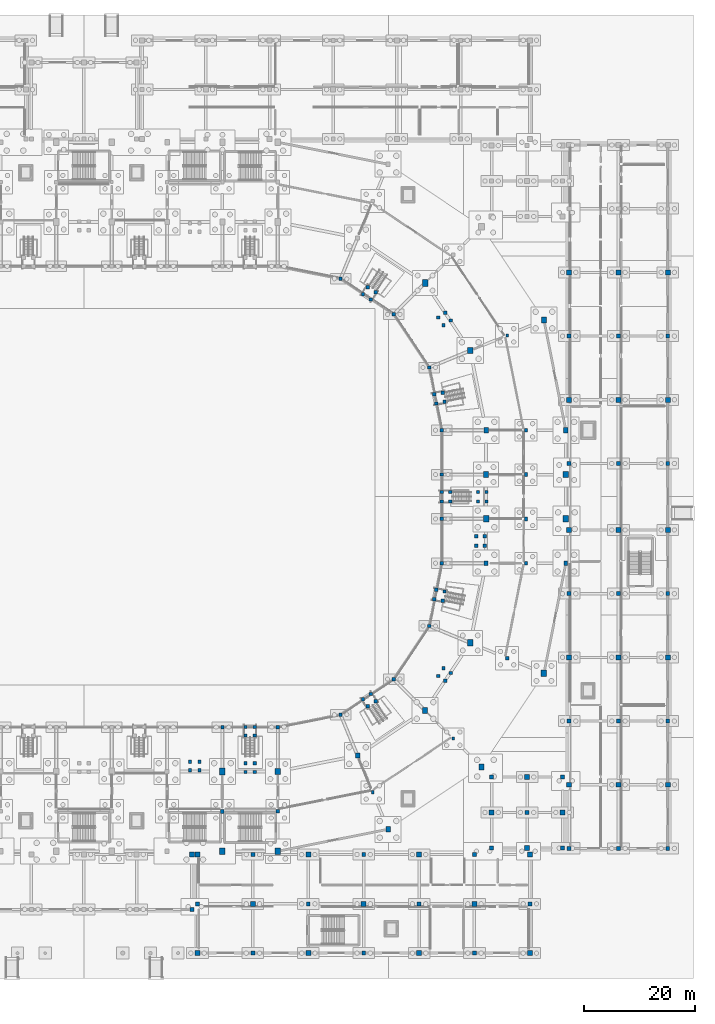
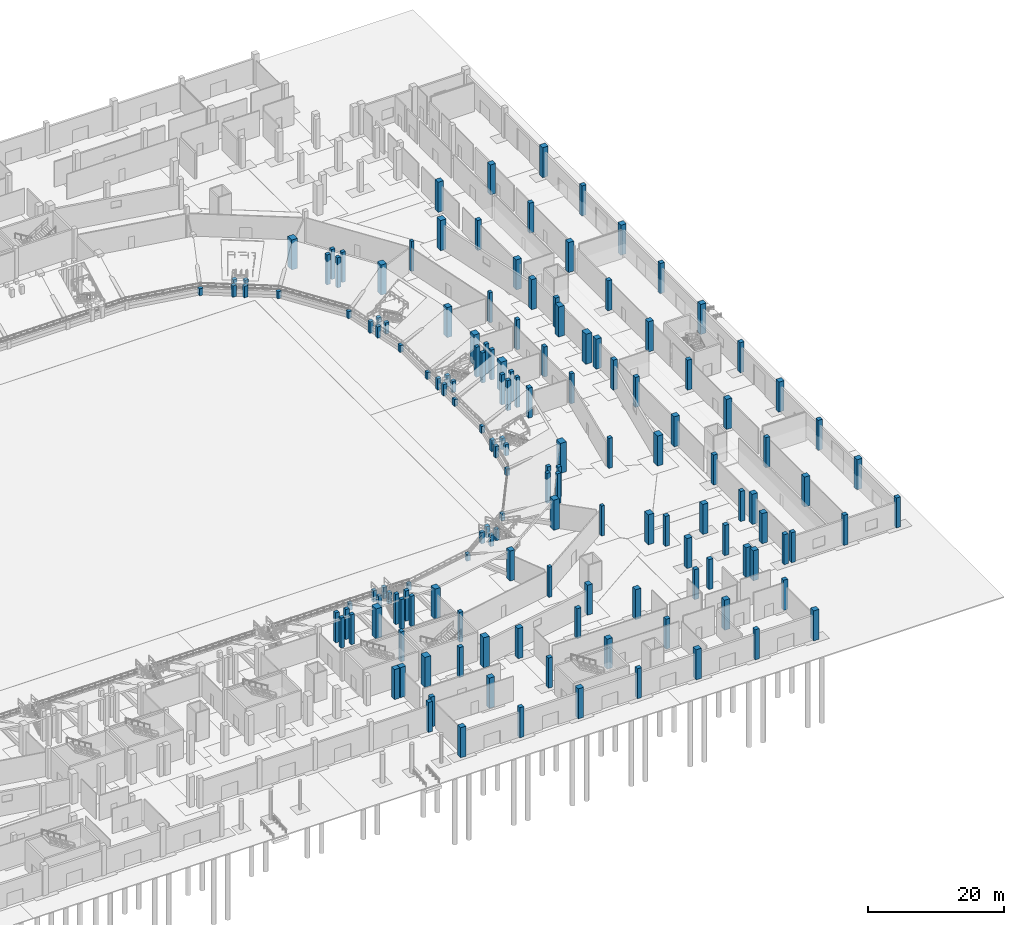
# One storey, part 16 of 68: 153 columns.
"""IFC4 building model written with IfcOpenShell, lengths in metres."""

from ifc_helpers import new_model, si_unit, direction, frame, origin, origin_2d, place, context, subcontext, project, spatial, rectangle, extrude, material, material_profile, profile_set, type_object, element, save


model = new_model("IFC4")

# Units and contexts
model_context = context("Model", 3, precision=1e-05, world=origin(), true_north=direction((0.0, 1.0)))
body_context = subcontext(model_context, "Body", "Model", "MODEL_VIEW")
ifc_project = project(units=[si_unit("LENGTHUNIT", "METRE"), si_unit("AREAUNIT", "SQUARE_METRE"), si_unit("VOLUMEUNIT", "CUBIC_METRE"), si_unit("PLANEANGLEUNIT", "RADIAN"), si_unit("MASSUNIT", "GRAM", prefix="KILO")], contexts=[model_context])

# Site, building, storey
site_placement = place(None, origin())
site = spatial("IfcSite", under=ifc_project, at=site_placement, CompositionType="ELEMENT")
building_placement = place(site_placement, origin())
building = spatial("IfcBuilding", under=site, at=building_placement, Name="Candeia Ridge Stadium", CompositionType="ELEMENT")
storey_placement = place(building_placement, origin())
storey = spatial("IfcBuildingStorey", under=building, at=storey_placement, Name="L00", CompositionType="ELEMENT", Elevation=0.0)

# Columns
ifc_material_1 = material(Name="Concrete C45/55", Category="concrete")
ifc_material_profile_1 = material_profile(ifc_material_1, rectangle(XDim=1.0, YDim=1.199951171875, at=origin_2d()), Name="RC1000x1200", Category="concrete")
ifc_profile_set_1 = profile_set([ifc_material_profile_1], Name="Concrete C45/55")
column_type_1 = type_object("IfcColumnType", Name="Bowl Spine Column RC1000x1200", PredefinedType="COLUMN", material=ifc_profile_set_1)
for number, where, z_axis, x_axis, name in (
    (1, (131.0, 33.39990234375, 0.0), (0.0, 0.0, 1.0), (1.0, 0.0, 0.0), "Structural column BC-MD-24 L00"),
    (2, (131.0, 19.0, 0.0), (0.0, 0.0, 1.0), (1.0, 0.0, 0.0), "Structural column BC-OU-24 L00"),
    (3, (175.73779296875, 56.611083984375, 0.0), (0.0, 0.0, 1.0), (1.0, 0.0, 0.0), "Structural column BC-MD-28 L00"),
    (4, (189.041748046875, 51.100341796875, 0.0), (0.0, 0.0, 1.0), (1.0, 0.0, 0.0), "Structural column BC-OU-28 L00"),
    (5, (178.60009765625, 79.0, 0.0), (0.0, 0.0, 1.0), (1.0, 0.0, 0.0), "Structural column BC-MD-30 L00"),
    (6, (193.0, 79.0, 0.0), (0.0, 0.0, 1.0), (1.0, 0.0, 0.0), "Structural column BC-OU-30 L00"),
    (7, (167.587158203125, 121.587158203125, 0.0), (0.0, 0.0, 1.0), (1.0, 0.0, 0.0), "Structural column BC-MD-34 L00"),
):
    element("IfcColumn", number, at=place(storey_placement, frame(where, z_axis=z_axis, x_axis=x_axis)), inside=storey, type_object=column_type_1, Name=name, PredefinedType="COLUMN", context=body_context, shape_type="SweptSolid", body=[
        extrude(rectangle(XDim=1.0, YDim=1.199951171875, at=origin_2d()), origin(), (0.0, 0.0, 1.0), 5.39990234375),
    ])
ifc_material_profile_2 = material_profile(ifc_material_1, rectangle(XDim=0.89990234375, YDim=0.89990234375, at=origin_2d()), Name="RC900x900", Category="concrete")
ifc_profile_set_2 = profile_set([ifc_material_profile_2], Name="Concrete C45/55")
column_type_2 = type_object("IfcColumnType", Name="Bowl Spine Column RC900x900", PredefinedType="COLUMN", material=ifc_profile_set_2)
for number, where, z_axis, x_axis, name in (
    (8, (193.60009765625, 31.0, 0.0), (0.0, 0.0, 1.0), (1.0, 0.0, 0.0), "Structural column EW-00-01 L00"),
    (9, (193.60009765625, 54.0, 0.0), (0.0, 0.0, 1.0), (1.0, 0.0, 0.0), "Structural column EW-00-03 L00"),
    (10, (193.60009765625, 77.0, 0.0), (0.0, 0.0, 1.0), (1.0, 0.0, 0.0), "Structural column EW-00-05 L00"),
    (11, (193.60009765625, 100.5, 0.0), (0.0, 0.0, 1.0), (1.0, 0.0, 0.0), "Structural column EW-00-07 L00"),
    (12, (193.60009765625, 123.5, 0.0), (0.0, 0.0, 1.0), (1.0, 0.0, 0.0), "Structural column EW-00-09 L00"),
    (13, (202.5, 31.0, 0.0), (0.0, 0.0, 1.0), (1.0, 0.0, 0.0), "Structural column EW-01-01 L00"),
    (14, (202.5, 54.0, 0.0), (0.0, 0.0, 1.0), (1.0, 0.0, 0.0), "Structural column EW-01-03 L00"),
    (15, (202.5, 77.0, 0.0), (0.0, 0.0, 1.0), (1.0, 0.0, 0.0), "Structural column EW-01-05 L00"),
    (16, (202.5, 100.5, 0.0), (0.0, 0.0, 1.0), (1.0, 0.0, 0.0), "Structural column EW-01-07 L00"),
    (17, (202.5, 123.5, 0.0), (0.0, 0.0, 1.0), (1.0, 0.0, 0.0), "Structural column EW-01-09 L00"),
    (18, (211.39990234375, 31.0, 0.0), (0.0, 0.0, 1.0), (1.0, 0.0, 0.0), "Structural column EW-02-01 L00"),
    (19, (211.39990234375, 54.0, 0.0), (0.0, 0.0, 1.0), (1.0, 0.0, 0.0), "Structural column EW-02-03 L00"),
    (20, (211.39990234375, 77.0, 0.0), (0.0, 0.0, 1.0), (1.0, 0.0, 0.0), "Structural column EW-02-05 L00"),
    (21, (211.39990234375, 100.5, 0.0), (0.0, 0.0, 1.0), (1.0, 0.0, 0.0), "Structural column EW-02-07 L00"),
    (22, (211.39990234375, 123.5, 0.0), (0.0, 0.0, 1.0), (1.0, 0.0, 0.0), "Structural column EW-02-09 L00"),
    (23, (126.5, 0.60009765625, 0.0), (0.0, 0.0, 1.0), (1.0, 0.0, 0.0), "Structural column SWE-00-00 L00"),
    (24, (126.5, 18.39990234375, 0.0), (0.0, 0.0, 1.0), (1.0, 0.0, 0.0), "Structural column SWE-00-02 L00"),
    (25, (136.5, 9.5, 0.0), (0.0, 0.0, 1.0), (1.0, 0.0, 0.0), "Structural column SWE-01-01 L00"),
    (26, (146.5, 0.60009765625, 0.0), (0.0, 0.0, 1.0), (1.0, 0.0, 0.0), "Structural column SWE-02-00 L00"),
    (27, (146.5, 18.39990234375, 0.0), (0.0, 0.0, 1.0), (1.0, 0.0, 0.0), "Structural column SWE-02-02 L00"),
    (28, (156.5, 9.5, 0.0), (0.0, 0.0, 1.0), (1.0, 0.0, 0.0), "Structural column SWE-03-01 L00"),
    (29, (166.5, 0.60009765625, 0.0), (0.0, 0.0, 1.0), (1.0, 0.0, 0.0), "Structural column SWE-04-00 L00"),
    (30, (166.5, 18.39990234375, 0.0), (0.0, 0.0, 1.0), (1.0, 0.0, 0.0), "Structural column SWE-04-02 L00"),
    (31, (176.5, 9.5, 0.0), (0.0, 0.0, 1.0), (1.0, 0.0, 0.0), "Structural column SWE-05-01 L00"),
    (32, (186.5, 0.60009765625, 0.0), (0.0, 0.0, 1.0), (1.0, 0.0, 0.0), "Structural column SWE-06-00 L00"),
    (33, (186.5, 18.39990234375, 0.0), (0.0, 0.0, 1.0), (1.0, 0.0, 0.0), "Structural column SWE-06-02 L00"),
    (34, (125.5, 18.39990234375, 0.0), (0.0, 0.0, 1.0), (1.0, 0.0, 0.0), "Structural column SG-04-01 L00"),
    (35, (179.60009765625, 26.0, 0.0), (0.0, 0.0, 1.0), (1.0, 0.0, 0.0), "Structural column SPSE-00-01 L00"),
    (36, (186.0, 19.60009765625, 0.0), (0.0, 0.0, 1.0), (1.0, 0.0, 0.0), "Structural column SPSE-01-00 L00"),
    (37, (186.0, 32.39990234375, 0.0), (0.0, 0.0, 1.0), (1.0, 0.0, 0.0), "Structural column SPSE-01-02 L00"),
    (38, (192.39990234375, 26.0, 0.0), (0.0, 0.0, 1.0), (1.0, 0.0, 0.0), "Structural column SPSE-02-01 L00"),
):
    element("IfcColumn", number, at=place(storey_placement, frame(where, z_axis=z_axis, x_axis=x_axis)), inside=storey, type_object=column_type_2, Name=name, PredefinedType="COLUMN", context=body_context, shape_type="SweptSolid", body=[
        extrude(rectangle(XDim=0.89990234375, YDim=0.89990234375, at=origin_2d()), origin(), (0.0, 0.0, 1.0), 5.39990234375),
    ])
ifc_material_2 = material(Name="Concrete C40/50", Category="concrete")
ifc_material_profile_3 = material_profile(ifc_material_2, rectangle(XDim=0.47998046875, YDim=0.56005859375, at=origin_2d()), Name="RC480x560", Category="concrete")
ifc_profile_set_3 = profile_set([ifc_material_profile_3], Name="Concrete C40/50")
column_type_3 = type_object("IfcColumnType", Name="Graduated Frame Column RC480x560", PredefinedType="COLUMN", material=ifc_profile_set_3)
for number, where, z_axis, x_axis, name in (
    (39, (172.678466796875, 39.321533203125, 0.0), (0.0, 0.0, 1.0), (1.0, 0.0, 0.0), "Structural column BC-M2-27 L00"),
    (40, (182.389892578125, 112.144287109375, 0.0), (0.0, 0.0, 1.0), (1.0, 0.0, 0.0), "Structural column BC-M2-33 L00"),
):
    element("IfcColumn", number, at=place(storey_placement, frame(where, z_axis=z_axis, x_axis=x_axis)), inside=storey, type_object=column_type_3, Name=name, PredefinedType="COLUMN", context=body_context, shape_type="SweptSolid", body=[
        extrude(rectangle(XDim=0.47998046875, YDim=0.56005859375, at=origin_2d()), origin(), (0.0, 0.0, 1.0), 5.39990234375),
    ])
ifc_material_profile_4 = material_profile(ifc_material_2, rectangle(XDim=0.52001953125, YDim=0.6201171875, at=origin_2d()), Name="RC520x620", Category="concrete")
ifc_profile_set_4 = profile_set([ifc_material_profile_4], Name="Concrete C40/50")
column_type_4 = type_object("IfcColumnType", Name="Graduated Frame Column RC520x620", PredefinedType="COLUMN", material=ifc_profile_set_4)
for number, where, z_axis, x_axis, name in (
    (41, (158.144287109375, 29.610107421875, 0.0), (0.0, 0.0, 1.0), (1.0, 0.0, 0.0), "Structural column BC-M2-26 L00"),
    (42, (185.800048828125, 95.0, 0.0), (0.0, 0.0, 1.0), (1.0, 0.0, 0.0), "Structural column BC-M2-32 L00"),
):
    element("IfcColumn", number, at=place(storey_placement, frame(where, z_axis=z_axis, x_axis=x_axis)), inside=storey, type_object=column_type_4, Name=name, PredefinedType="COLUMN", context=body_context, shape_type="SweptSolid", body=[
        extrude(rectangle(XDim=0.52001953125, YDim=0.6201171875, at=origin_2d()), origin(), (0.0, 0.0, 1.0), 5.39990234375),
    ])
ifc_material_profile_5 = material_profile(ifc_material_2, rectangle(XDim=0.580078125, YDim=0.580078125, at=origin_2d()), Name="RC580x580", Category="concrete")
ifc_profile_set_5 = profile_set([ifc_material_profile_5], Name="Concrete C40/50")
column_type_5 = type_object("IfcColumnType", Name="Graduated Frame Column RC580x580", PredefinedType="COLUMN", material=ifc_profile_set_5)
column_1_placement = place(storey_placement, frame((185.800048828125, 71.0, 0.0), z_axis=(0.0, 0.0, 1.0), x_axis=(1.0, 0.0, 0.0)))
element("IfcColumn", 43, at=column_1_placement, inside=storey, type_object=column_type_5, Name="Structural column BC-M2-29 L00", PredefinedType="COLUMN", context=body_context, shape_type="SweptSolid", body=[
    extrude(rectangle(XDim=0.580078125, YDim=0.580078125, at=origin_2d()), origin(), (0.0, 0.0, 1.0), 5.39990234375),
])
ifc_material_profile_6 = material_profile(ifc_material_2, rectangle(XDim=0.580078125, YDim=0.679931640625, at=origin_2d()), Name="RC580x680", Category="concrete")
ifc_profile_set_6 = profile_set([ifc_material_profile_6], Name="Concrete C40/50")
column_type_6 = type_object("IfcColumnType", Name="Graduated Frame Column RC580x680", PredefinedType="COLUMN", material=ifc_profile_set_6)
for number, where, z_axis, x_axis, name in (
    (44, (141.0, 26.199951171875, 0.0), (0.0, 0.0, 1.0), (1.0, 0.0, 0.0), "Structural column BC-M2-25 L00"),
    (45, (185.800048828125, 87.0, 0.0), (0.0, 0.0, 1.0), (1.0, 0.0, 0.0), "Structural column BC-M2-31 L00"),
):
    element("IfcColumn", number, at=place(storey_placement, frame(where, z_axis=z_axis, x_axis=x_axis)), inside=storey, type_object=column_type_6, Name=name, PredefinedType="COLUMN", context=body_context, shape_type="SweptSolid", body=[
        extrude(rectangle(XDim=0.580078125, YDim=0.679931640625, at=origin_2d()), origin(), (0.0, 0.0, 1.0), 5.39990234375),
    ])
ifc_material_profile_7 = material_profile(ifc_material_2, rectangle(XDim=0.6201171875, YDim=0.6201171875, at=origin_2d()), Name="RC620x620", Category="concrete")
ifc_profile_set_7 = profile_set([ifc_material_profile_7], Name="Concrete C40/50")
column_type_7 = type_object("IfcColumnType", Name="Graduated Frame Column RC620x620", PredefinedType="COLUMN", material=ifc_profile_set_7)
column_2_placement = place(storey_placement, frame((182.389892578125, 53.855712890625, 0.0), z_axis=(0.0, 0.0, 1.0), x_axis=(1.0, 0.0, 0.0)))
element("IfcColumn", 46, at=column_2_placement, inside=storey, type_object=column_type_7, Name="Structural column BC-M2-28 L00", PredefinedType="COLUMN", context=body_context, shape_type="SweptSolid", body=[
    extrude(rectangle(XDim=0.6201171875, YDim=0.6201171875, at=origin_2d()), origin(), (0.0, 0.0, 1.0), 5.39990234375),
])
ifc_material_profile_8 = material_profile(ifc_material_2, rectangle(XDim=0.6201171875, YDim=0.719970703125, at=origin_2d()), Name="RC620x720", Category="concrete")
ifc_profile_set_8 = profile_set([ifc_material_profile_8], Name="Concrete C40/50")
column_type_8 = type_object("IfcColumnType", Name="Graduated Frame Column RC620x720", PredefinedType="COLUMN", material=ifc_profile_set_8)
for number, where, z_axis, x_axis, name in (
    (47, (131.0, 26.199951171875, 0.0), (0.0, 0.0, 1.0), (1.0, 0.0, 0.0), "Structural column BC-M2-24 L00"),
    (48, (185.800048828125, 79.0, 0.0), (0.0, 0.0, 1.0), (1.0, 0.0, 0.0), "Structural column BC-M2-30 L00"),
):
    element("IfcColumn", number, at=place(storey_placement, frame(where, z_axis=z_axis, x_axis=x_axis)), inside=storey, type_object=column_type_8, Name=name, PredefinedType="COLUMN", context=body_context, shape_type="SweptSolid", body=[
        extrude(rectangle(XDim=0.6201171875, YDim=0.719970703125, at=origin_2d()), origin(), (0.0, 0.0, 1.0), 5.39990234375),
    ])
ifc_material_profile_9 = material_profile(ifc_material_2, rectangle(XDim=0.679931640625, YDim=0.760009765625, at=origin_2d()), Name="RC680x760", Category="concrete")
ifc_profile_set_9 = profile_set([ifc_material_profile_9], Name="Concrete C40/50")
column_type_9 = type_object("IfcColumnType", Name="Graduated Frame Column RC680x760", PredefinedType="COLUMN", material=ifc_profile_set_9)
for number, where, z_axis, x_axis, name in (
    (49, (178.60009765625, 71.0, 0.0), (0.0, 0.0, 1.0), (1.0, 0.0, 0.0), "Structural column BC-MD-29 L00"),
    (50, (193.0, 71.0, 0.0), (0.0, 0.0, 1.0), (1.0, 0.0, 0.0), "Structural column BC-OU-29 L00"),
):
    element("IfcColumn", number, at=place(storey_placement, frame(where, z_axis=z_axis, x_axis=x_axis)), inside=storey, type_object=column_type_9, Name=name, PredefinedType="COLUMN", context=body_context, shape_type="SweptSolid", body=[
        extrude(rectangle(XDim=0.679931640625, YDim=0.760009765625, at=origin_2d()), origin(), (0.0, 0.0, 1.0), 5.39990234375),
    ])
ifc_material_profile_10 = material_profile(ifc_material_1, rectangle(XDim=0.820068359375, YDim=0.949951171875, at=origin_2d()), Name="RC820x950", Category="concrete")
ifc_profile_set_10 = profile_set([ifc_material_profile_10], Name="Concrete C45/55")
column_type_10 = type_object("IfcColumnType", Name="Graduated Frame Column RC820x950", PredefinedType="COLUMN", material=ifc_profile_set_10)
for number, where, z_axis, x_axis, name in (
    (51, (155.388916015625, 36.26220703125, 0.0), (0.0, 0.0, 1.0), (1.0, 0.0, 0.0), "Structural column BC-MD-26 L00"),
    (52, (160.899658203125, 22.958251953125, 0.0), (0.0, 0.0, 1.0), (1.0, 0.0, 0.0), "Structural column BC-OU-26 L00"),
    (53, (178.60009765625, 95.0, 0.0), (0.0, 0.0, 1.0), (1.0, 0.0, 0.0), "Structural column BC-MD-32 L00"),
    (54, (193.0, 95.0, 0.0), (0.0, 0.0, 1.0), (1.0, 0.0, 0.0), "Structural column BC-OU-32 L00"),
):
    element("IfcColumn", number, at=place(storey_placement, frame(where, z_axis=z_axis, x_axis=x_axis)), inside=storey, type_object=column_type_10, Name=name, PredefinedType="COLUMN", context=body_context, shape_type="SweptSolid", body=[
        extrude(rectangle(XDim=0.820068359375, YDim=0.949951171875, at=origin_2d()), origin(), (0.0, 0.0, 1.0), 5.39990234375),
    ])
ifc_material_profile_11 = material_profile(ifc_material_1, rectangle(XDim=0.949951171875, YDim=1.10009765625, at=origin_2d()), Name="RC950x1100", Category="concrete")
ifc_profile_set_11 = profile_set([ifc_material_profile_11], Name="Concrete C45/55")
column_type_11 = type_object("IfcColumnType", Name="Reinforced Concrete Column RC950x1100", PredefinedType="COLUMN", material=ifc_profile_set_11)
for number, where, z_axis, x_axis, name in (
    (55, (141.0, 33.39990234375, 0.0), (0.0, 0.0, 1.0), (1.0, 0.0, 0.0), "Structural column BC-MD-25 L00"),
    (56, (141.0, 19.0, 0.0), (0.0, 0.0, 1.0), (1.0, 0.0, 0.0), "Structural column BC-OU-25 L00"),
    (57, (167.587158203125, 44.412841796875, 0.0), (0.0, 0.0, 1.0), (1.0, 0.0, 0.0), "Structural column BC-MD-27 L00"),
    (58, (177.76953125, 34.23046875, 0.0), (0.0, 0.0, 1.0), (1.0, 0.0, 0.0), "Structural column BC-OU-27 L00"),
    (59, (178.60009765625, 87.0, 0.0), (0.0, 0.0, 1.0), (1.0, 0.0, 0.0), "Structural column BC-MD-31 L00"),
    (60, (193.0, 87.0, 0.0), (0.0, 0.0, 1.0), (1.0, 0.0, 0.0), "Structural column BC-OU-31 L00"),
    (61, (175.73779296875, 109.388916015625, 0.0), (0.0, 0.0, 1.0), (1.0, 0.0, 0.0), "Structural column BC-MD-33 L00"),
    (62, (189.041748046875, 114.899658203125, 0.0), (0.0, 0.0, 1.0), (1.0, 0.0, 0.0), "Structural column BC-OU-33 L00"),
):
    element("IfcColumn", number, at=place(storey_placement, frame(where, z_axis=z_axis, x_axis=x_axis)), inside=storey, type_object=column_type_11, Name=name, PredefinedType="COLUMN", context=body_context, shape_type="SweptSolid", body=[
        extrude(rectangle(XDim=0.949951171875, YDim=1.10009765625, at=origin_2d()), origin(), (0.0, 0.0, 1.0), 5.39990234375),
    ])
ifc_material_profile_12 = material_profile(ifc_material_2, rectangle(XDim=0.60009765625, YDim=0.60009765625, at=origin_2d()), Name="RC600x600", Category="concrete")
ifc_profile_set_12 = profile_set([ifc_material_profile_12], Name="Concrete C40/50")
column_type_12 = type_object("IfcColumnType", Name="Wing Column RC600x600", PredefinedType="COLUMN", material=ifc_profile_set_12)
for number, where, z_axis, x_axis, name in (
    (63, (131.0, 41.39990234375, 0.0), (0.0, 0.0, 1.0), (1.0, 0.0, 0.0), "Inner stand support column BC-IN-24"),
    (64, (141.0, 41.39990234375, 0.0), (0.0, 0.0, 1.0), (1.0, 0.0, 0.0), "Inner stand support column BC-IN-25"),
    (65, (152.327392578125, 43.653076171875, 0.0), (0.0, 0.0, 1.0), (1.0, 0.0, 0.0), "Inner stand support column BC-IN-26"),
    (66, (161.930419921875, 50.069580078125, 0.0), (0.0, 0.0, 1.0), (1.0, 0.0, 0.0), "Inner stand support column BC-IN-27"),
    (67, (168.346923828125, 59.672607421875, 0.0), (0.0, 0.0, 1.0), (1.0, 0.0, 0.0), "Inner stand support column BC-IN-28"),
    (68, (170.60009765625, 71.0, 0.0), (0.0, 0.0, 1.0), (1.0, 0.0, 0.0), "Inner stand support column BC-IN-29"),
    (69, (170.60009765625, 79.0, 0.0), (0.0, 0.0, 1.0), (1.0, 0.0, 0.0), "Inner stand support column BC-IN-30"),
    (70, (170.60009765625, 87.0, 0.0), (0.0, 0.0, 1.0), (1.0, 0.0, 0.0), "Inner stand support column BC-IN-31"),
    (71, (170.60009765625, 95.0, 0.0), (0.0, 0.0, 1.0), (1.0, 0.0, 0.0), "Inner stand support column BC-IN-32"),
    (72, (168.346923828125, 106.327392578125, 0.0), (0.0, 0.0, 1.0), (1.0, 0.0, 0.0), "Inner stand support column BC-IN-33"),
    (73, (161.930419921875, 115.930419921875, 0.0), (0.0, 0.0, 1.0), (1.0, 0.0, 0.0), "Inner stand support column BC-IN-34"),
    (74, (152.327392578125, 122.346923828125, 0.0), (0.0, 0.0, 1.0), (1.0, 0.0, 0.0), "Inner stand support column BC-IN-35"),
):
    element("IfcColumn", number, at=place(storey_placement, frame(where, z_axis=z_axis, x_axis=x_axis)), inside=storey, type_object=column_type_12, Name=name, PredefinedType="COLUMN", context=body_context, shape_type="SweptSolid", body=[
        extrude(rectangle(XDim=0.60009765625, YDim=0.60009765625, at=origin_2d()), origin(), (0.0, 0.0, 1.0), 1.25),
    ])
for number, where, z_axis, x_axis, name in (
    (75, (136.85009765625, 39.8779296875, 0.0), (0.0, 0.0, 1.0), (1.0, 0.0, 0.0), "Vomitory VS13 landing support column 1 L00"),
    (76, (136.85009765625, 41.427978515625, 0.0), (0.0, 0.0, 1.0), (1.0, 0.0, 0.0), "Vomitory VS13 landing support column 2 L00"),
    (77, (135.14990234375, 41.427978515625, 0.0), (0.0, 0.0, 1.0), (1.0, 0.0, 0.0), "Vomitory VS13 landing support column 3 L00"),
    (78, (135.14990234375, 39.8779296875, 0.0), (0.0, 0.0, 1.0), (1.0, 0.0, 0.0), "Vomitory VS13 landing support column 4 L00"),
    (79, (158.6611328125, 46.097900390625, 0.0), (0.0, 0.0, 1.0), (1.0, 0.0, 0.0), "Vomitory VS14 landing support column 1 L00"),
    (80, (157.800048828125, 47.38671875, 0.0), (0.0, 0.0, 1.0), (1.0, 0.0, 0.0), "Vomitory VS14 landing support column 2 L00"),
    (81, (156.38671875, 46.4423828125, 0.0), (0.0, 0.0, 1.0), (1.0, 0.0, 0.0), "Vomitory VS14 landing support column 3 L00"),
    (82, (157.247802734375, 45.153564453125, 0.0), (0.0, 0.0, 1.0), (1.0, 0.0, 0.0), "Vomitory VS14 landing support column 4 L00"),
    (83, (171.0966796875, 65.8798828125, 0.0), (0.0, 0.0, 1.0), (1.0, 0.0, 0.0), "Vomitory VS15 landing support column 1 L00"),
    (84, (169.576416015625, 66.182373046875, 0.0), (0.0, 0.0, 1.0), (1.0, 0.0, 0.0), "Vomitory VS15 landing support column 2 L00"),
    (85, (169.244873046875, 64.51513671875, 0.0), (0.0, 0.0, 1.0), (1.0, 0.0, 0.0), "Vomitory VS15 landing support column 3 L00"),
    (86, (170.76513671875, 64.212646484375, 0.0), (0.0, 0.0, 1.0), (1.0, 0.0, 0.0), "Vomitory VS15 landing support column 4 L00"),
    (87, (172.1220703125, 83.85009765625, 0.0), (0.0, 0.0, 1.0), (1.0, 0.0, 0.0), "Vomitory VS16 landing support column 1 L00"),
    (88, (170.572021484375, 83.85009765625, 0.0), (0.0, 0.0, 1.0), (1.0, 0.0, 0.0), "Vomitory VS16 landing support column 2 L00"),
    (89, (170.572021484375, 82.14990234375, 0.0), (0.0, 0.0, 1.0), (1.0, 0.0, 0.0), "Vomitory VS16 landing support column 3 L00"),
    (90, (172.1220703125, 82.14990234375, 0.0), (0.0, 0.0, 1.0), (1.0, 0.0, 0.0), "Vomitory VS16 landing support column 4 L00"),
    (91, (170.76513671875, 101.787353515625, 0.0), (0.0, 0.0, 1.0), (1.0, 0.0, 0.0), "Vomitory VS17 landing support column 1 L00"),
    (92, (169.244873046875, 101.48486328125, 0.0), (0.0, 0.0, 1.0), (1.0, 0.0, 0.0), "Vomitory VS17 landing support column 2 L00"),
    (93, (169.576416015625, 99.817626953125, 0.0), (0.0, 0.0, 1.0), (1.0, 0.0, 0.0), "Vomitory VS17 landing support column 3 L00"),
    (94, (171.0966796875, 100.1201171875, 0.0), (0.0, 0.0, 1.0), (1.0, 0.0, 0.0), "Vomitory VS17 landing support column 4 L00"),
    (95, (157.247802734375, 120.846435546875, 0.0), (0.0, 0.0, 1.0), (1.0, 0.0, 0.0), "Vomitory VS18 landing support column 1 L00"),
    (96, (156.38671875, 119.5576171875, 0.0), (0.0, 0.0, 1.0), (1.0, 0.0, 0.0), "Vomitory VS18 landing support column 2 L00"),
    (97, (157.800048828125, 118.61328125, 0.0), (0.0, 0.0, 1.0), (1.0, 0.0, 0.0), "Vomitory VS18 landing support column 3 L00"),
    (98, (158.6611328125, 119.902099609375, 0.0), (0.0, 0.0, 1.0), (1.0, 0.0, 0.0), "Vomitory VS18 landing support column 4 L00"),
):
    element("IfcColumn", number, at=place(storey_placement, frame(where, z_axis=z_axis, x_axis=x_axis)), inside=storey, type_object=column_type_12, Name=name, PredefinedType="COLUMN", context=body_context, shape_type="SweptSolid", body=[
        extrude(rectangle(XDim=0.60009765625, YDim=0.60009765625, at=origin_2d()), origin(), (0.0, 0.0, 1.0), 2.0400390625),
    ])
for number, where, z_axis, x_axis, name in (
    (99, (126.85009765625, 33.6298828125, 0.0), (0.0, 0.0, 1.0), (1.0, 0.0, 0.0), "Vomitory VS23 landing support column 1 L00"),
    (100, (126.85009765625, 35.179931640625, 0.0), (0.0, 0.0, 1.0), (1.0, 0.0, 0.0), "Vomitory VS23 landing support column 2 L00"),
    (101, (125.14990234375, 35.179931640625, 0.0), (0.0, 0.0, 1.0), (1.0, 0.0, 0.0), "Vomitory VS23 landing support column 3 L00"),
    (102, (125.14990234375, 33.6298828125, 0.0), (0.0, 0.0, 1.0), (1.0, 0.0, 0.0), "Vomitory VS23 landing support column 4 L00"),
    (103, (178.3701171875, 75.85009765625, 0.0), (0.0, 0.0, 1.0), (1.0, 0.0, 0.0), "Vomitory VS24 landing support column 1 L00"),
    (104, (176.820068359375, 75.85009765625, 0.0), (0.0, 0.0, 1.0), (1.0, 0.0, 0.0), "Vomitory VS24 landing support column 2 L00"),
    (105, (176.820068359375, 74.14990234375, 0.0), (0.0, 0.0, 1.0), (1.0, 0.0, 0.0), "Vomitory VS24 landing support column 3 L00"),
    (106, (178.3701171875, 74.14990234375, 0.0), (0.0, 0.0, 1.0), (1.0, 0.0, 0.0), "Vomitory VS24 landing support column 4 L00"),
    (107, (136.85009765625, 33.318115234375, 0.0), (0.0, 0.0, 1.0), (1.0, 0.0, 0.0), "Vomitory VS33 landing support column 1 L00"),
    (108, (136.85009765625, 34.867919921875, 0.0), (0.0, 0.0, 1.0), (1.0, 0.0, 0.0), "Vomitory VS33 landing support column 2 L00"),
    (109, (135.14990234375, 34.867919921875, 0.0), (0.0, 0.0, 1.0), (1.0, 0.0, 0.0), "Vomitory VS33 landing support column 3 L00"),
    (110, (135.14990234375, 33.318115234375, 0.0), (0.0, 0.0, 1.0), (1.0, 0.0, 0.0), "Vomitory VS33 landing support column 4 L00"),
    (111, (172.196044921875, 51.177734375, 0.0), (0.0, 0.0, 1.0), (1.0, 0.0, 0.0), "Vomitory VS34 landing support column 1 L00"),
    (112, (170.9072265625, 52.038818359375, 0.0), (0.0, 0.0, 1.0), (1.0, 0.0, 0.0), "Vomitory VS34 landing support column 2 L00"),
    (113, (169.962890625, 50.62548828125, 0.0), (0.0, 0.0, 1.0), (1.0, 0.0, 0.0), "Vomitory VS34 landing support column 3 L00"),
    (114, (171.251708984375, 49.76416015625, 0.0), (0.0, 0.0, 1.0), (1.0, 0.0, 0.0), "Vomitory VS34 landing support column 4 L00"),
    (115, (178.681884765625, 83.85009765625, 0.0), (0.0, 0.0, 1.0), (1.0, 0.0, 0.0), "Vomitory VS35 landing support column 1 L00"),
    (116, (177.132080078125, 83.85009765625, 0.0), (0.0, 0.0, 1.0), (1.0, 0.0, 0.0), "Vomitory VS35 landing support column 2 L00"),
    (117, (177.132080078125, 82.14990234375, 0.0), (0.0, 0.0, 1.0), (1.0, 0.0, 0.0), "Vomitory VS35 landing support column 3 L00"),
    (118, (178.681884765625, 82.14990234375, 0.0), (0.0, 0.0, 1.0), (1.0, 0.0, 0.0), "Vomitory VS35 landing support column 4 L00"),
    (119, (171.251708984375, 116.23583984375, 0.0), (0.0, 0.0, 1.0), (1.0, 0.0, 0.0), "Vomitory VS36 landing support column 1 L00"),
    (120, (169.962890625, 115.37451171875, 0.0), (0.0, 0.0, 1.0), (1.0, 0.0, 0.0), "Vomitory VS36 landing support column 2 L00"),
    (121, (170.9072265625, 113.961181640625, 0.0), (0.0, 0.0, 1.0), (1.0, 0.0, 0.0), "Vomitory VS36 landing support column 3 L00"),
    (122, (172.196044921875, 114.822265625, 0.0), (0.0, 0.0, 1.0), (1.0, 0.0, 0.0), "Vomitory VS36 landing support column 4 L00"),
):
    element("IfcColumn", number, at=place(storey_placement, frame(where, z_axis=z_axis, x_axis=x_axis)), inside=storey, type_object=column_type_12, Name=name, PredefinedType="COLUMN", context=body_context, shape_type="SweptSolid", body=[
        extrude(rectangle(XDim=0.60009765625, YDim=0.60009765625, at=origin_2d()), origin(), (0.0, 0.0, 1.0), 5.39990234375),
    ])
ifc_material_profile_13 = material_profile(ifc_material_2, rectangle(XDim=0.699951171875, YDim=0.699951171875, at=origin_2d()), Name="RC700x700", Category="concrete")
ifc_profile_set_13 = profile_set([ifc_material_profile_13], Name="Concrete C40/50")
column_type_13 = type_object("IfcColumnType", Name="Wing Column RC700x700", PredefinedType="COLUMN", material=ifc_profile_set_13)
for number, where, z_axis, x_axis, name in (
    (123, (193.60009765625, 19.5, 0.0), (0.0, 0.0, 1.0), (1.0, 0.0, 0.0), "Structural column EW-00-00 L00"),
    (124, (193.60009765625, 42.5, 0.0), (0.0, 0.0, 1.0), (1.0, 0.0, 0.0), "Structural column EW-00-02 L00"),
    (125, (193.60009765625, 65.5, 0.0), (0.0, 0.0, 1.0), (1.0, 0.0, 0.0), "Structural column EW-00-04 L00"),
    (126, (193.60009765625, 89.0, 0.0), (0.0, 0.0, 1.0), (1.0, 0.0, 0.0), "Structural column EW-00-06 L00"),
    (127, (193.60009765625, 112.0, 0.0), (0.0, 0.0, 1.0), (1.0, 0.0, 0.0), "Structural column EW-00-08 L00"),
    (128, (202.5, 19.5, 0.0), (0.0, 0.0, 1.0), (1.0, 0.0, 0.0), "Structural column EW-01-00 L00"),
    (129, (202.5, 42.5, 0.0), (0.0, 0.0, 1.0), (1.0, 0.0, 0.0), "Structural column EW-01-02 L00"),
    (130, (202.5, 65.5, 0.0), (0.0, 0.0, 1.0), (1.0, 0.0, 0.0), "Structural column EW-01-04 L00"),
    (131, (202.5, 89.0, 0.0), (0.0, 0.0, 1.0), (1.0, 0.0, 0.0), "Structural column EW-01-06 L00"),
    (132, (202.5, 112.0, 0.0), (0.0, 0.0, 1.0), (1.0, 0.0, 0.0), "Structural column EW-01-08 L00"),
    (133, (211.39990234375, 19.5, 0.0), (0.0, 0.0, 1.0), (1.0, 0.0, 0.0), "Structural column EW-02-00 L00"),
    (134, (211.39990234375, 42.5, 0.0), (0.0, 0.0, 1.0), (1.0, 0.0, 0.0), "Structural column EW-02-02 L00"),
    (135, (211.39990234375, 65.5, 0.0), (0.0, 0.0, 1.0), (1.0, 0.0, 0.0), "Structural column EW-02-04 L00"),
    (136, (211.39990234375, 89.0, 0.0), (0.0, 0.0, 1.0), (1.0, 0.0, 0.0), "Structural column EW-02-06 L00"),
    (137, (211.39990234375, 112.0, 0.0), (0.0, 0.0, 1.0), (1.0, 0.0, 0.0), "Structural column EW-02-08 L00"),
    (138, (126.5, 9.5, 0.0), (0.0, 0.0, 1.0), (1.0, 0.0, 0.0), "Structural column SWE-00-01 L00"),
    (139, (136.5, 0.60009765625, 0.0), (0.0, 0.0, 1.0), (1.0, 0.0, 0.0), "Structural column SWE-01-00 L00"),
    (140, (136.5, 18.39990234375, 0.0), (0.0, 0.0, 1.0), (1.0, 0.0, 0.0), "Structural column SWE-01-02 L00"),
    (141, (146.5, 9.5, 0.0), (0.0, 0.0, 1.0), (1.0, 0.0, 0.0), "Structural column SWE-02-01 L00"),
    (142, (156.5, 0.60009765625, 0.0), (0.0, 0.0, 1.0), (1.0, 0.0, 0.0), "Structural column SWE-03-00 L00"),
    (143, (156.5, 18.39990234375, 0.0), (0.0, 0.0, 1.0), (1.0, 0.0, 0.0), "Structural column SWE-03-02 L00"),
    (144, (166.5, 9.5, 0.0), (0.0, 0.0, 1.0), (1.0, 0.0, 0.0), "Structural column SWE-04-01 L00"),
    (145, (176.5, 0.60009765625, 0.0), (0.0, 0.0, 1.0), (1.0, 0.0, 0.0), "Structural column SWE-05-00 L00"),
    (146, (176.5, 18.39990234375, 0.0), (0.0, 0.0, 1.0), (1.0, 0.0, 0.0), "Structural column SWE-05-02 L00"),
    (147, (186.5, 9.5, 0.0), (0.0, 0.0, 1.0), (1.0, 0.0, 0.0), "Structural column SWE-06-01 L00"),
    (148, (125.5, 8.5, 0.0), (0.0, 0.0, 1.0), (1.0, 0.0, 0.0), "Structural column SG-04-00 L00"),
    (149, (179.60009765625, 19.60009765625, 0.0), (0.0, 0.0, 1.0), (1.0, 0.0, 0.0), "Structural column SPSE-00-00 L00"),
    (150, (179.60009765625, 32.39990234375, 0.0), (0.0, 0.0, 1.0), (1.0, 0.0, 0.0), "Structural column SPSE-00-02 L00"),
    (151, (186.0, 26.0, 0.0), (0.0, 0.0, 1.0), (1.0, 0.0, 0.0), "Structural column SPSE-01-01 L00"),
    (152, (192.39990234375, 19.60009765625, 0.0), (0.0, 0.0, 1.0), (1.0, 0.0, 0.0), "Structural column SPSE-02-00 L00"),
    (153, (192.39990234375, 32.39990234375, 0.0), (0.0, 0.0, 1.0), (1.0, 0.0, 0.0), "Structural column SPSE-02-02 L00"),
):
    element("IfcColumn", number, at=place(storey_placement, frame(where, z_axis=z_axis, x_axis=x_axis)), inside=storey, type_object=column_type_13, Name=name, PredefinedType="COLUMN", context=body_context, shape_type="SweptSolid", body=[
        extrude(rectangle(XDim=0.699951171875, YDim=0.699951171875, at=origin_2d()), origin(), (0.0, 0.0, 1.0), 5.39990234375),
    ])

save(model, "model.ifc")
